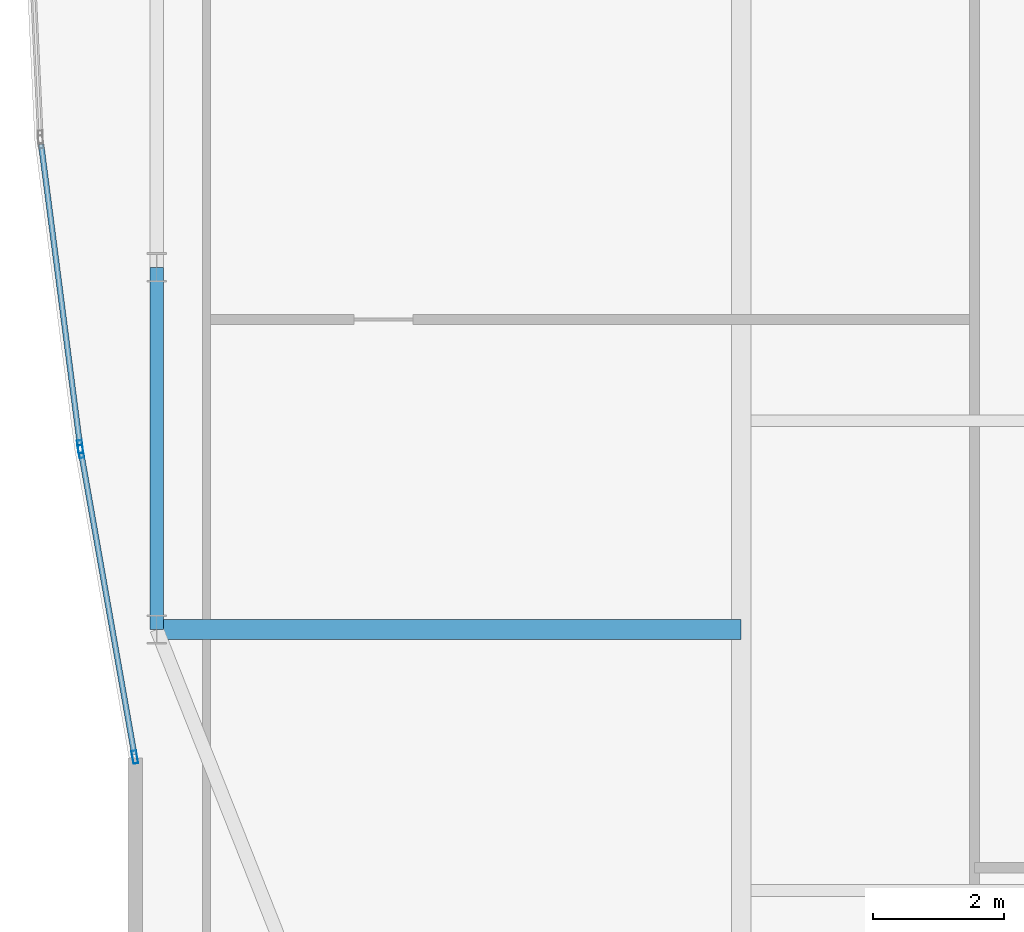
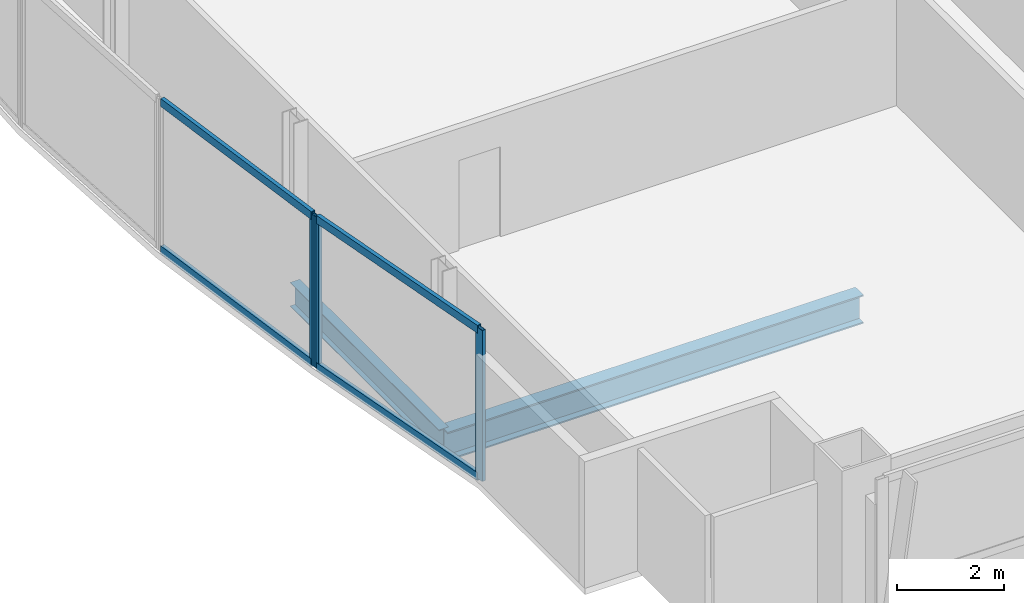
# One storey, part 6 of 30: 7 members, 2 beams, 2 elements without a shape of their own.
"""IFC4 building model written with IfcOpenShell, lengths in metres."""

import ifcopenshell
import ifcopenshell.guid

model = None  # the IFC model being written
_history = None  # IfcOwnerHistory: only IFC2X3 demands one
_inside = {}  # id of a spatial element -> (the spatial element, [elements in it])
_under = {}  # id of a project, library or spatial element -> (it, [spatial elements below it])
_declared = {}  # id of a project -> (the project, [libraries it declares])
_typed = {}  # id of a type object -> (the type object, [elements of that type])
_made_of = {}  # id of a material, layer set ... -> (it, [elements and type objects made of it])


def new_model(schema):
    """Start an empty IFC model of exactly this schema.

    Asked for "IFC4X3", IfcOpenShell would pick the latest addendum, in which some entities
    have other attributes; the version numbers below select the first issue.
    IFC2X3 requires an IfcOwnerHistory on every rooted entity: one is made here for all.
    """
    global model, _history
    if schema == "IFC4X3":
        model = ifcopenshell.file(schema_version=(4, 3, 0, 0))
    else:
        model = ifcopenshell.file(schema=schema)
    _inside.clear()
    _under.clear()
    _declared.clear()
    _typed.clear()
    _made_of.clear()
    _history = None
    if model.schema == "IFC2X3":
        org = make("IfcOrganization", Name="unknown")
        user = make(
            "IfcPersonAndOrganization",
            ThePerson=make("IfcPerson", FamilyName="unknown"),
            TheOrganization=org,
        )
        app = make(
            "IfcApplication",
            ApplicationDeveloper=org,
            Version="unknown",
            ApplicationFullName="unknown",
            ApplicationIdentifier="unknown",
        )
        _history = make(
            "IfcOwnerHistory",
            OwningUser=user,
            OwningApplication=app,
            ChangeAction="ADDED",
            CreationDate=0,
        )
    return model


def make(cls, **values):
    """One entity of the class cls with the attributes given. An attribute that is None is left unset."""
    return model.create_entity(
        cls, **{name: value for name, value in values.items() if value is not None}
    )


def rooted(cls, **values):
    """An entity with a GlobalId (a new one), such as an element, a storey or a relation."""
    return make(cls, GlobalId=ifcopenshell.guid.new(), OwnerHistory=_history, **values)


def si_unit(unit_type, name, prefix=None):
    """IfcSIUnit, for example si_unit("LENGTHUNIT", "METRE", prefix="MILLI")."""
    return make("IfcSIUnit", UnitType=unit_type, Prefix=prefix, Name=name)


def assignment(units):
    """IfcUnitAssignment: the units of a project."""
    return None if units is None else make("IfcUnitAssignment", Units=units)


def point(xyz):
    """IfcCartesianPoint."""
    return None if xyz is None else make("IfcCartesianPoint", Coordinates=xyz)


def direction(xyz):
    """IfcDirection."""
    return None if xyz is None else make("IfcDirection", DirectionRatios=xyz)


def frame(location, z_axis=None, x_axis=None):
    """IfcAxis2Placement3D, a coordinate frame: its origin and axes. An axis left out is left unset."""
    return make(
        "IfcAxis2Placement3D",
        Location=point(location),
        Axis=direction(z_axis),
        RefDirection=direction(x_axis),
    )


def frame_2d(location, x_axis=None):
    """IfcAxis2Placement2D, a coordinate frame in the plane: its origin and x axis."""
    return make(
        "IfcAxis2Placement2D", Location=point(location), RefDirection=direction(x_axis)
    )


def origin():
    """The frame at (0, 0, 0) with its axes left unset."""
    return frame((0.0, 0.0, 0.0))


def origin_2d():
    """The frame at (0, 0) in the plane with its x axis left unset."""
    return frame_2d((0.0, 0.0))


def place(relative_to, where):
    """IfcLocalPlacement: puts the frame where relative to a parent placement (None: the world)."""
    return make(
        "IfcLocalPlacement", PlacementRelTo=relative_to, RelativePlacement=where
    )


def context(
    kind, dimensions, precision=None, world=None, true_north=None, identifier=None
):
    """IfcGeometricRepresentationContext, for example the 3D "Model" context."""
    return make(
        "IfcGeometricRepresentationContext",
        ContextIdentifier=identifier,
        ContextType=kind,
        CoordinateSpaceDimension=dimensions,
        Precision=precision,
        WorldCoordinateSystem=world,
        TrueNorth=true_north,
    )


def subcontext(parent, identifier, kind, view, scale=None):
    """IfcGeometricRepresentationSubContext, for example "Body" below "Model"."""
    return make(
        "IfcGeometricRepresentationSubContext",
        ContextIdentifier=identifier,
        ContextType=kind,
        ParentContext=parent,
        TargetScale=scale,
        TargetView=view,
    )


def project(units=None, contexts=None):
    """IfcProject with its units and contexts."""
    return rooted(
        "IfcProject",
        Name="project",
        RepresentationContexts=contexts,
        UnitsInContext=assignment(units),
    )


def spatial(cls, under=None, at=None, **own):
    """A site, building, storey or space (cls), placed at a placement, below another one or the project."""
    s = rooted(cls, ObjectPlacement=at, **own)
    if under is not None:
        _under.setdefault(under.id(), (under, []))[1].append(s)
    return s


def profile(cls, at=None, kind="AREA", **sizes):
    """A parametric profile (cls). Its sizes go by their IFC names, for example OverallWidth=200.0."""
    return make(cls, ProfileType=kind, Position=at, **sizes)


def hollow_rectangle(**sizes):
    """IfcRectangleHollowProfileDef."""
    return profile("IfcRectangleHollowProfileDef", **sizes)


def i_section(**sizes):
    """IfcIShapeProfileDef."""
    return profile("IfcIShapeProfileDef", **sizes)


def extrude(swept, where, along, depth):
    """IfcExtrudedAreaSolid: the profile swept, set in the frame where, extruded along a direction by depth."""
    return make(
        "IfcExtrudedAreaSolid",
        SweptArea=swept,
        Position=where,
        ExtrudedDirection=direction(along),
        Depth=depth,
    )


def shape(context_of_items, identifier, shape_type, items):
    """IfcShapeRepresentation: the items that make up one representation, for example the "Body"."""
    return make(
        "IfcShapeRepresentation",
        ContextOfItems=context_of_items,
        RepresentationIdentifier=identifier,
        RepresentationType=shape_type,
        Items=items,
    )


def material(Name=None, Category=None):
    """IfcMaterial."""
    return make("IfcMaterial", Name=Name, Category=Category)


def material_profile(
    of_material, cross_section, Name=None, Category=None, Priority=None
):
    """IfcMaterialProfile: a cross section and its material."""
    return make(
        "IfcMaterialProfile",
        Name=Name,
        Material=of_material,
        Profile=cross_section,
        Priority=Priority,
        Category=Category,
    )


def profile_set(profiles, Name=None, composite=None):
    """IfcMaterialProfileSet."""
    return make(
        "IfcMaterialProfileSet",
        Name=Name,
        MaterialProfiles=profiles,
        CompositeProfile=composite,
    )


def made_of(thing, what):
    """Note that an element or type object is made of a material, layer set ...; save() writes the relation."""
    if what is not None:
        _made_of.setdefault(what.id(), (what, []))[1].append(thing)
    return thing


def type_object(cls, material=None, **own):
    """A type object (cls), such as IfcWallType, which elements share."""
    return made_of(rooted(cls, **own), material)


def element(
    cls,
    number,
    at=None,
    inside=None,
    cuts=None,
    type_object=None,
    material=None,
    context=None,
    identifier="Body",
    shape_type=None,
    held_by="IfcProductDefinitionShape",
    body=None,
    shapes=None,
    **own,
):
    """One element of the class cls, such as IfcWall. Its Tag is "e" and its number.

    at: its placement. inside: the storey or other place that contains it. cuts: it is an
    opening in that element (IfcRelVoidsElement). A single representation is given by context,
    identifier, shape_type and body (its items); several are given by shapes. held_by: the class
    of the entity that holds the representations. save() writes the other relations.
    """
    e = rooted(cls, Tag="e%d" % number, ObjectPlacement=at, **own)
    if body is not None:
        shapes = [shape(context, identifier, shape_type, body)]
    if shapes is not None:
        e.Representation = make(held_by, Representations=shapes)
    if inside is not None:
        _inside.setdefault(inside.id(), (inside, []))[1].append(e)
    if cuts is not None:
        rooted(
            "IfcRelVoidsElement", RelatingBuildingElement=cuts, RelatedOpeningElement=e
        )
    if type_object is not None:
        _typed.setdefault(type_object.id(), (type_object, []))[1].append(e)
    return made_of(e, material)


def aggregate(whole, parts):
    """IfcRelAggregates: a whole, such as a stair, and the parts it consists of."""
    return rooted("IfcRelAggregates", RelatingObject=whole, RelatedObjects=parts)


def save(model, path):
    """Write the relations noted so far, then the file.

    IfcRelAggregates (storeys below a building ...), IfcRelContainedInSpatialStructure (elements
    in a storey), IfcRelDefinesByType, IfcRelAssociatesMaterial and IfcRelDeclares: one each for
    every whole, place, type object, material and project.
    """
    for whole, parts in _under.values():
        aggregate(whole, parts)
    for where, things in _inside.values():
        rooted(
            "IfcRelContainedInSpatialStructure",
            RelatedElements=things,
            RelatingStructure=where,
        )
    for kind, things in _typed.values():
        rooted("IfcRelDefinesByType", RelatedObjects=things, RelatingType=kind)
    for what, things in _made_of.values():
        rooted("IfcRelAssociatesMaterial", RelatedObjects=things, RelatingMaterial=what)
    for by, libraries in _declared.values():
        rooted("IfcRelDeclares", RelatingContext=by, RelatedDefinitions=libraries)
    model.write(path)


model = new_model("IFC4")

# Units and contexts
model_context = context("Model", 3, precision=1e-05, world=origin(), true_north=direction((0.0, 1.0)))
body_context = subcontext(model_context, "Body", "Model", "MODEL_VIEW")
ifc_project = project(units=[si_unit("LENGTHUNIT", "METRE"), si_unit("AREAUNIT", "SQUARE_METRE"), si_unit("VOLUMEUNIT", "CUBIC_METRE"), si_unit("PLANEANGLEUNIT", "RADIAN"), si_unit("MASSUNIT", "GRAM", prefix="KILO")], contexts=[model_context])

# Site, building, storey
site_placement = place(None, origin())
site = spatial("IfcSite", under=ifc_project, at=site_placement, CompositionType="ELEMENT")
building_placement = place(site_placement, origin())
building = spatial("IfcBuilding", under=site, at=building_placement, Name="Khoronbel Lancet Exchange", CompositionType="ELEMENT")
storey_placement = place(building_placement, frame((0.0, 0.0, 277.0)))
storey = spatial("IfcBuildingStorey", under=building, at=storey_placement, Name="L71", CompositionType="ELEMENT", Elevation=277.0)

# Beams
ifc_material_1 = material(Name="Steel S355", Category="steel")
ifc_material_profile_1 = material_profile(ifc_material_1, i_section(OverallWidth=0.300048828125, OverallDepth=0.64990234375, WebThickness=0.01611328125, FlangeThickness=0.031005859375, at=origin_2d()), Name="HEB 650")
ifc_profile_set_1 = profile_set([ifc_material_profile_1], Name="Steel S355")
beam_type_1 = type_object("IfcBeamType", Name="BM-BG4", PredefinedType="BEAM", material=ifc_profile_set_1)
beam_1_placement = place(storey_placement, frame((9.27001953125, 19.199951171875, -0.485107421875), z_axis=(1.0, 0.0, 0.0), x_axis=(0.0, 1.0, 0.0)))
element("IfcBeam", 1, at=beam_1_placement, inside=storey, type_object=beam_type_1, Name="Level L71 west lens tie girder LG1W", PredefinedType="BEAM", context=body_context, shape_type="SweptSolid", body=[
    extrude(i_section(OverallWidth=0.300048828125, OverallDepth=0.64990234375, WebThickness=0.01611328125, FlangeThickness=0.031005859375, at=origin_2d()), origin(), (0.0, 0.0, 1.0), 8.955078125),
])
ifc_material_profile_2 = material_profile(ifc_material_1, i_section(OverallWidth=0.2099609375, OverallDepth=0.550048828125, WebThickness=0.010986328125, FlangeThickness=0.01708984375, at=origin_2d()), Name="IPE 550")
ifc_profile_set_2 = profile_set([ifc_material_profile_2], Name="Steel S355")
beam_type_2 = type_object("IfcBeamType", Name="BM-BSP3", PredefinedType="SPANDREL", material=ifc_profile_set_2)
beam_2_placement = place(storey_placement, frame((9.27001953125, 24.75, -0.43505859375), z_axis=(0.0, -1.0, 0.0), x_axis=(1.0, 0.0, 0.0)))
element("IfcBeam", 2, at=beam_2_placement, inside=storey, type_object=beam_type_2, Name="Level L71 perimeter spandrel beam SP20", PredefinedType="SPANDREL", context=body_context, shape_type="SweptSolid", body=[
    extrude(i_section(OverallWidth=0.2099609375, OverallDepth=0.550048828125, WebThickness=0.010986328125, FlangeThickness=0.01708984375, at=origin_2d()), origin(), (0.0, 0.0, 1.0), 5.550048828125),
])

# Curtain wall, members
ifc_material_2 = material(Name="Low-E Solar Control Insulating Glass", Category="glass")
curtain_wall_type = type_object("IfcCurtainWallType", Name="CW-4", PredefinedType="NOTDEFINED", material=ifc_material_2)
curtain_wall_1_placement = place(storey_placement, origin())
curtain_wall_1 = element("IfcCurtainWall", 3, at=curtain_wall_1_placement, inside=storey, type_object=curtain_wall_type, Name="Unitised curtain wall CW-L71-E04", PredefinedType="NOTDEFINED")
ifc_material_3 = material(Name="Bronze-Anodised Aluminium 6063-T6", Category="aluminium")
ifc_material_profile_3 = material_profile(ifc_material_3, hollow_rectangle(XDim=0.074951171875, YDim=0.199951171875, WallThickness=0.0048828125, at=origin_2d()), Name="ALU MULLION 75x200")
ifc_profile_set_3 = profile_set([ifc_material_profile_3], Name="Bronze-Anodised Aluminium 6063-T6")
member_type_1 = type_object("IfcMemberType", Name="MEM-CWM2", PredefinedType="MULLION", material=ifc_profile_set_3)
member_1_placement = place(storey_placement, frame((8.93359375, 17.244873046875, 0.0), z_axis=(0.0, 0.0, 1.0), x_axis=(-0.984792104729, -0.173736900118, 0.0)))
member_1 = element("IfcMember", 4, at=member_1_placement, type_object=member_type_1, Name="CW4 mullion 1", PredefinedType="MULLION", context=body_context, shape_type="SweptSolid", body=[
    extrude(hollow_rectangle(XDim=0.074951171875, YDim=0.199951171875, WallThickness=0.0048828125, at=origin_2d()), origin(), (0.0, 0.0, 1.0), 3.43994140625),
])
member_2_placement = place(storey_placement, frame((8.107421875, 21.9267578125, 0.0), z_axis=(0.0, 0.0, 1.0), x_axis=(-0.984792104729, -0.173736900118, 0.0)))
member_2 = element("IfcMember", 5, at=member_2_placement, type_object=member_type_1, Name="CW4 mullion 2", PredefinedType="MULLION", context=body_context, shape_type="SweptSolid", body=[
    extrude(hollow_rectangle(XDim=0.074951171875, YDim=0.199951171875, WallThickness=0.0048828125, at=origin_2d()), origin(), (0.0, 0.0, 1.0), 3.43994140625),
])

# Curtain wall, member
curtain_wall_2_placement = place(storey_placement, origin())
curtain_wall_2 = element("IfcCurtainWall", 6, at=curtain_wall_2_placement, inside=storey, type_object=curtain_wall_type, Name="Unitised curtain wall CW-L71-E05", PredefinedType="NOTDEFINED")
member_3_placement = place(storey_placement, frame((8.09619140625, 22.000732421875, 0.0), z_axis=(0.0, 0.0, 1.0), x_axis=(-0.991761083348, -0.12810134096, 0.0)))
member_3 = element("IfcMember", 7, at=member_3_placement, type_object=member_type_1, Name="CW4 mullion 1", PredefinedType="MULLION", context=body_context, shape_type="SweptSolid", body=[
    extrude(hollow_rectangle(XDim=0.074951171875, YDim=0.199951171875, WallThickness=0.0048828125, at=origin_2d()), origin(), (0.0, 0.0, 1.0), 3.43994140625),
])

# Member
ifc_material_profile_4 = material_profile(ifc_material_3, hollow_rectangle(XDim=0.0849609375, YDim=0.179931640625, WallThickness=0.0048828125, at=origin_2d()), Name="ALU TRANSOM 85x180")
ifc_profile_set_4 = profile_set([ifc_material_profile_4], Name="Bronze-Anodised Aluminium 6063-T6")
member_type_2 = type_object("IfcMemberType", Name="MEM-CWT1", PredefinedType="USERDEFINED", material=ifc_profile_set_4)
member_4_placement = place(storey_placement, frame((8.927001953125, 17.28173828125, 0.04248046875), z_axis=(-0.173749615269, 0.984789861439, 0.0), x_axis=(-0.984789861439, -0.173749615269, 0.0)))
member_4 = element("IfcMember", 8, at=member_4_placement, type_object=member_type_2, Name="CW4 transom 1.1", ObjectType="TRANSOM", PredefinedType="USERDEFINED", context=body_context, shape_type="SweptSolid", body=[
    extrude(hollow_rectangle(XDim=0.0849609375, YDim=0.179931640625, WallThickness=0.0048828125, at=origin_2d()), origin(), (0.0, 0.0, 1.0), 4.67919921875),
])

member_5_placement = place(storey_placement, frame((8.927001953125, 17.28173828125, 3.3974609375), z_axis=(-0.173749615269, 0.984789861439, 0.0), x_axis=(-0.984789861439, -0.173749615269, 0.0)))
member_5 = element("IfcMember", 9, at=member_5_placement, type_object=member_type_2, Name="CW4 transom 1.2", ObjectType="TRANSOM", PredefinedType="USERDEFINED", context=body_context, shape_type="SweptSolid", body=[
    extrude(hollow_rectangle(XDim=0.0849609375, YDim=0.179931640625, WallThickness=0.0048828125, at=origin_2d()), origin(), (0.0, 0.0, 1.0), 4.67919921875),
])

aggregate(curtain_wall_1, [member_1, member_2, member_4, member_5])

member_6_placement = place(storey_placement, frame((8.09130859375, 22.0380859375, 0.04248046875), z_axis=(-0.128086691458, 0.991762975449, 0.0), x_axis=(-0.991762975449, -0.128086691458, 0.0)))
member_6 = element("IfcMember", 10, at=member_6_placement, type_object=member_type_2, Name="CW4 transom 1.1", ObjectType="TRANSOM", PredefinedType="USERDEFINED", context=body_context, shape_type="SweptSolid", body=[
    extrude(hollow_rectangle(XDim=0.0849609375, YDim=0.179931640625, WallThickness=0.0048828125, at=origin_2d()), origin(), (0.0, 0.0, 1.0), 4.633544921875),
])

member_7_placement = place(storey_placement, frame((8.09130859375, 22.0380859375, 3.3974609375), z_axis=(-0.128086691458, 0.991762975449, 0.0), x_axis=(-0.991762975449, -0.128086691458, 0.0)))
member_7 = element("IfcMember", 11, at=member_7_placement, type_object=member_type_2, Name="CW4 transom 1.2", ObjectType="TRANSOM", PredefinedType="USERDEFINED", context=body_context, shape_type="SweptSolid", body=[
    extrude(hollow_rectangle(XDim=0.0849609375, YDim=0.179931640625, WallThickness=0.0048828125, at=origin_2d()), origin(), (0.0, 0.0, 1.0), 4.633544921875),
])

aggregate(curtain_wall_2, [member_3, member_6, member_7])

save(model, "model.ifc")
